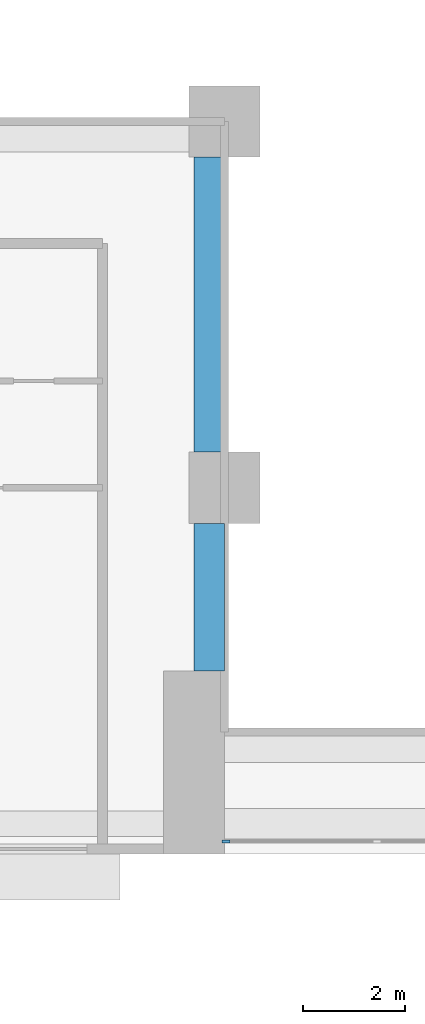
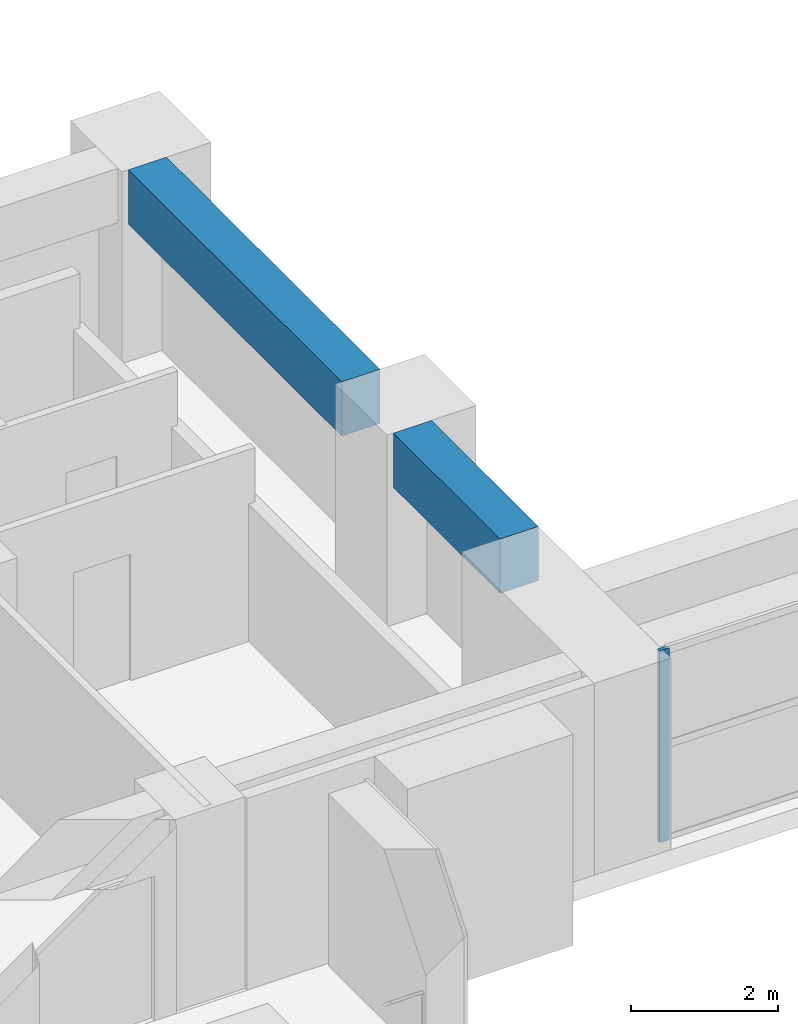
# One storey, part 2 of 17: 2 beams, 1 member, 1 element without a shape of its own.
"""IFC4 building model written with IfcOpenShell, lengths in metres."""

import ifcopenshell
import ifcopenshell.guid

model = None  # the IFC model being written
_history = None  # IfcOwnerHistory: only IFC2X3 demands one
_inside = {}  # id of a spatial element -> (the spatial element, [elements in it])
_under = {}  # id of a project, library or spatial element -> (it, [spatial elements below it])
_declared = {}  # id of a project -> (the project, [libraries it declares])
_typed = {}  # id of a type object -> (the type object, [elements of that type])
_made_of = {}  # id of a material, layer set ... -> (it, [elements and type objects made of it])


def new_model(schema):
    """Start an empty IFC model of exactly this schema.

    Asked for "IFC4X3", IfcOpenShell would pick the latest addendum, in which some entities
    have other attributes; the version numbers below select the first issue.
    IFC2X3 requires an IfcOwnerHistory on every rooted entity: one is made here for all.
    """
    global model, _history
    if schema == "IFC4X3":
        model = ifcopenshell.file(schema_version=(4, 3, 0, 0))
    else:
        model = ifcopenshell.file(schema=schema)
    _inside.clear()
    _under.clear()
    _declared.clear()
    _typed.clear()
    _made_of.clear()
    _history = None
    if model.schema == "IFC2X3":
        org = make("IfcOrganization", Name="unknown")
        user = make(
            "IfcPersonAndOrganization",
            ThePerson=make("IfcPerson", FamilyName="unknown"),
            TheOrganization=org,
        )
        app = make(
            "IfcApplication",
            ApplicationDeveloper=org,
            Version="unknown",
            ApplicationFullName="unknown",
            ApplicationIdentifier="unknown",
        )
        _history = make(
            "IfcOwnerHistory",
            OwningUser=user,
            OwningApplication=app,
            ChangeAction="ADDED",
            CreationDate=0,
        )
    return model


def make(cls, **values):
    """One entity of the class cls with the attributes given. An attribute that is None is left unset."""
    return model.create_entity(
        cls, **{name: value for name, value in values.items() if value is not None}
    )


def rooted(cls, **values):
    """An entity with a GlobalId (a new one), such as an element, a storey or a relation."""
    return make(cls, GlobalId=ifcopenshell.guid.new(), OwnerHistory=_history, **values)


def si_unit(unit_type, name, prefix=None):
    """IfcSIUnit, for example si_unit("LENGTHUNIT", "METRE", prefix="MILLI")."""
    return make("IfcSIUnit", UnitType=unit_type, Prefix=prefix, Name=name)


def assignment(units):
    """IfcUnitAssignment: the units of a project."""
    return None if units is None else make("IfcUnitAssignment", Units=units)


def point(xyz):
    """IfcCartesianPoint."""
    return None if xyz is None else make("IfcCartesianPoint", Coordinates=xyz)


def direction(xyz):
    """IfcDirection."""
    return None if xyz is None else make("IfcDirection", DirectionRatios=xyz)


def frame(location, z_axis=None, x_axis=None):
    """IfcAxis2Placement3D, a coordinate frame: its origin and axes. An axis left out is left unset."""
    return make(
        "IfcAxis2Placement3D",
        Location=point(location),
        Axis=direction(z_axis),
        RefDirection=direction(x_axis),
    )


def frame_2d(location, x_axis=None):
    """IfcAxis2Placement2D, a coordinate frame in the plane: its origin and x axis."""
    return make(
        "IfcAxis2Placement2D", Location=point(location), RefDirection=direction(x_axis)
    )


def origin():
    """The frame at (0, 0, 0) with its axes left unset."""
    return frame((0.0, 0.0, 0.0))


def origin_2d():
    """The frame at (0, 0) in the plane with its x axis left unset."""
    return frame_2d((0.0, 0.0))


def place(relative_to, where):
    """IfcLocalPlacement: puts the frame where relative to a parent placement (None: the world)."""
    return make(
        "IfcLocalPlacement", PlacementRelTo=relative_to, RelativePlacement=where
    )


def context(
    kind, dimensions, precision=None, world=None, true_north=None, identifier=None
):
    """IfcGeometricRepresentationContext, for example the 3D "Model" context."""
    return make(
        "IfcGeometricRepresentationContext",
        ContextIdentifier=identifier,
        ContextType=kind,
        CoordinateSpaceDimension=dimensions,
        Precision=precision,
        WorldCoordinateSystem=world,
        TrueNorth=true_north,
    )


def subcontext(parent, identifier, kind, view, scale=None):
    """IfcGeometricRepresentationSubContext, for example "Body" below "Model"."""
    return make(
        "IfcGeometricRepresentationSubContext",
        ContextIdentifier=identifier,
        ContextType=kind,
        ParentContext=parent,
        TargetScale=scale,
        TargetView=view,
    )


def project(units=None, contexts=None):
    """IfcProject with its units and contexts."""
    return rooted(
        "IfcProject",
        Name="project",
        RepresentationContexts=contexts,
        UnitsInContext=assignment(units),
    )


def spatial(cls, under=None, at=None, **own):
    """A site, building, storey or space (cls), placed at a placement, below another one or the project."""
    s = rooted(cls, ObjectPlacement=at, **own)
    if under is not None:
        _under.setdefault(under.id(), (under, []))[1].append(s)
    return s


def profile(cls, at=None, kind="AREA", **sizes):
    """A parametric profile (cls). Its sizes go by their IFC names, for example OverallWidth=200.0."""
    return make(cls, ProfileType=kind, Position=at, **sizes)


def rectangle(**sizes):
    """IfcRectangleProfileDef."""
    return profile("IfcRectangleProfileDef", **sizes)


def extrude(swept, where, along, depth):
    """IfcExtrudedAreaSolid: the profile swept, set in the frame where, extruded along a direction by depth."""
    return make(
        "IfcExtrudedAreaSolid",
        SweptArea=swept,
        Position=where,
        ExtrudedDirection=direction(along),
        Depth=depth,
    )


def shape(context_of_items, identifier, shape_type, items):
    """IfcShapeRepresentation: the items that make up one representation, for example the "Body"."""
    return make(
        "IfcShapeRepresentation",
        ContextOfItems=context_of_items,
        RepresentationIdentifier=identifier,
        RepresentationType=shape_type,
        Items=items,
    )


def source(mapping_origin, context_of_items, identifier, shape_type, items):
    """IfcRepresentationMap: a shape defined once, which mapped items show again and again."""
    return make(
        "IfcRepresentationMap",
        MappingOrigin=mapping_origin,
        MappedRepresentation=shape(context_of_items, identifier, shape_type, items),
    )


def transform(
    local_origin,
    x_axis=None,
    y_axis=None,
    z_axis=None,
    scale=None,
    scale2=None,
    scale3=None,
    uniform=True,
):
    """IfcCartesianTransformationOperator3D, or its non-uniform kind. x_axis, y_axis, z_axis: its Axis1, 2, 3."""
    if uniform:
        return make(
            "IfcCartesianTransformationOperator3D",
            Axis1=direction(x_axis),
            Axis2=direction(y_axis),
            LocalOrigin=point(local_origin),
            Scale=scale,
            Axis3=direction(z_axis),
        )
    return make(
        "IfcCartesianTransformationOperator3DnonUniform",
        Axis1=direction(x_axis),
        Axis2=direction(y_axis),
        LocalOrigin=point(local_origin),
        Scale=scale,
        Axis3=direction(z_axis),
        Scale2=scale2,
        Scale3=scale3,
    )


def mapped(mapping_source, mapping_target):
    """IfcMappedItem: shows the shape of a source again, moved by a transform."""
    return make(
        "IfcMappedItem", MappingSource=mapping_source, MappingTarget=mapping_target
    )


def material(Name=None, Category=None):
    """IfcMaterial."""
    return make("IfcMaterial", Name=Name, Category=Category)


def layer(
    of_material, thickness, ventilated=None, Name=None, Category=None, Priority=None
):
    """IfcMaterialLayer: one layer of a wall or slab, of a material (None: an air gap)."""
    return make(
        "IfcMaterialLayer",
        Material=of_material,
        LayerThickness=thickness,
        IsVentilated=ventilated,
        Name=Name,
        Category=Category,
        Priority=Priority,
    )


def layer_set(layers, Name=None):
    """IfcMaterialLayerSet."""
    return make("IfcMaterialLayerSet", MaterialLayers=layers, LayerSetName=Name)


def material_profile(
    of_material, cross_section, Name=None, Category=None, Priority=None
):
    """IfcMaterialProfile: a cross section and its material."""
    return make(
        "IfcMaterialProfile",
        Name=Name,
        Material=of_material,
        Profile=cross_section,
        Priority=Priority,
        Category=Category,
    )


def profile_set(profiles, Name=None, composite=None):
    """IfcMaterialProfileSet."""
    return make(
        "IfcMaterialProfileSet",
        Name=Name,
        MaterialProfiles=profiles,
        CompositeProfile=composite,
    )


def made_of(thing, what):
    """Note that an element or type object is made of a material, layer set ...; save() writes the relation."""
    if what is not None:
        _made_of.setdefault(what.id(), (what, []))[1].append(thing)
    return thing


def type_object(cls, material=None, **own):
    """A type object (cls), such as IfcWallType, which elements share."""
    return made_of(rooted(cls, **own), material)


def element(
    cls,
    number,
    at=None,
    inside=None,
    cuts=None,
    type_object=None,
    material=None,
    context=None,
    identifier="Body",
    shape_type=None,
    held_by="IfcProductDefinitionShape",
    body=None,
    shapes=None,
    **own,
):
    """One element of the class cls, such as IfcWall. Its Tag is "e" and its number.

    at: its placement. inside: the storey or other place that contains it. cuts: it is an
    opening in that element (IfcRelVoidsElement). A single representation is given by context,
    identifier, shape_type and body (its items); several are given by shapes. held_by: the class
    of the entity that holds the representations. save() writes the other relations.
    """
    e = rooted(cls, Tag="e%d" % number, ObjectPlacement=at, **own)
    if body is not None:
        shapes = [shape(context, identifier, shape_type, body)]
    if shapes is not None:
        e.Representation = make(held_by, Representations=shapes)
    if inside is not None:
        _inside.setdefault(inside.id(), (inside, []))[1].append(e)
    if cuts is not None:
        rooted(
            "IfcRelVoidsElement", RelatingBuildingElement=cuts, RelatedOpeningElement=e
        )
    if type_object is not None:
        _typed.setdefault(type_object.id(), (type_object, []))[1].append(e)
    return made_of(e, material)


def aggregate(whole, parts):
    """IfcRelAggregates: a whole, such as a stair, and the parts it consists of."""
    return rooted("IfcRelAggregates", RelatingObject=whole, RelatedObjects=parts)


def save(model, path):
    """Write the relations noted so far, then the file.

    IfcRelAggregates (storeys below a building ...), IfcRelContainedInSpatialStructure (elements
    in a storey), IfcRelDefinesByType, IfcRelAssociatesMaterial and IfcRelDeclares: one each for
    every whole, place, type object, material and project.
    """
    for whole, parts in _under.values():
        aggregate(whole, parts)
    for where, things in _inside.values():
        rooted(
            "IfcRelContainedInSpatialStructure",
            RelatedElements=things,
            RelatingStructure=where,
        )
    for kind, things in _typed.values():
        rooted("IfcRelDefinesByType", RelatedObjects=things, RelatingType=kind)
    for what, things in _made_of.values():
        rooted("IfcRelAssociatesMaterial", RelatedObjects=things, RelatingMaterial=what)
    for by, libraries in _declared.values():
        rooted("IfcRelDeclares", RelatingContext=by, RelatedDefinitions=libraries)
    model.write(path)


model = new_model("IFC4")

# Units and contexts
model_context = context("Model", 3, precision=1e-05, world=origin(), true_north=direction((0.0, 1.0)))
body_context = subcontext(model_context, "Body", "Model", "MODEL_VIEW")
ifc_project = project(units=[si_unit("LENGTHUNIT", "METRE"), si_unit("AREAUNIT", "SQUARE_METRE"), si_unit("VOLUMEUNIT", "CUBIC_METRE"), si_unit("PLANEANGLEUNIT", "RADIAN"), si_unit("MASSUNIT", "GRAM", prefix="KILO")], contexts=[model_context])

# Site, building, storey
site_placement = place(None, origin())
site = spatial("IfcSite", under=ifc_project, at=site_placement, CompositionType="ELEMENT")
building_placement = place(site_placement, origin())
building = spatial("IfcBuilding", under=site, at=building_placement, Name="Saffron Iwan Residences", CompositionType="ELEMENT")
storey_placement = place(building_placement, frame((0.0, 0.0, 58.5)))
storey = spatial("IfcBuildingStorey", under=building, at=storey_placement, Name="L14", CompositionType="ELEMENT", Elevation=58.5)

# Beams
ifc_material_1 = material(Name="Concrete C60/75", Category="concrete")
ifc_material_profile_1 = material_profile(ifc_material_1, rectangle(XDim=0.60009765625, YDim=0.89990234375, at=origin_2d()), Name="RC 600x900")
ifc_profile_set_1 = profile_set([ifc_material_profile_1], Name="Concrete C60/75")
beam_type = type_object("IfcBeamType", Name="BEAM RC 600x900 C60/75 TOP 3180", PredefinedType="BEAM", material=ifc_profile_set_1)
shared_shape_1 = source(origin(), body_context, "Body", "SweptSolid", [
    extrude(rectangle(XDim=0.60009765625, YDim=0.89990234375, at=origin_2d()), origin(), (0.0, 0.0, 1.0), 2.900146484375),
])
beam_1_placement = place(storey_placement, frame((42.89990234375, 37.199951171875, 2.72998046875), z_axis=(0.0, 1.0, 0.0), x_axis=(-1.0, 0.0, 0.0)))
element("IfcBeam", 1, at=beam_1_placement, inside=storey, type_object=beam_type, Name="Atrium edge beam", PredefinedType="BEAM", context=body_context, shape_type="MappedRepresentation", body=[
    mapped(shared_shape_1, transform((0.0, 0.0, 0.0))),
])
shared_shape_2 = source(origin(), body_context, "Body", "SweptSolid", [
    extrude(rectangle(XDim=0.60009765625, YDim=0.89990234375, at=origin_2d()), origin(), (0.0, 0.0, 1.0), 5.800048828125),
])
beam_2_placement = place(storey_placement, frame((42.89990234375, 41.5, 2.72998046875), z_axis=(0.0, 1.0, 0.0), x_axis=(-1.0, 0.0, 0.0)))
element("IfcBeam", 2, at=beam_2_placement, inside=storey, type_object=beam_type, Name="Atrium edge beam", PredefinedType="BEAM", context=body_context, shape_type="MappedRepresentation", body=[
    mapped(shared_shape_2, transform((0.0, 0.0, 0.0))),
])

# Curtain wall, member
ifc_material_2 = material(Name="Clear glass, laminated double glazed", Category="glass")
ifc_layer = layer(ifc_material_2, 0.199951171875)
ifc_layer_set = layer_set([ifc_layer], Name="Clear glass, laminated double glazed")
curtain_wall_type = type_object("IfcCurtainWallType", Name="CW-B IWAN PORTAL", PredefinedType="NOTDEFINED", material=ifc_layer_set)
curtain_wall_placement = place(storey_placement, origin())
curtain_wall = element("IfcCurtainWall", 3, at=curtain_wall_placement, inside=storey, type_object=curtain_wall_type, Name="Iwan portal glazing L14.1", PredefinedType="NOTDEFINED")
ifc_material_3 = material(Name="Aluminium 6063-T6", Category="aluminium")
ifc_material_profile_2 = material_profile(ifc_material_3, rectangle(XDim=0.06005859375, YDim=0.159912109375, at=origin_2d()), Name="CW-B MULLION 60 x 160")
ifc_profile_set_2 = profile_set([ifc_material_profile_2], Name="Aluminium 6063-T6")
member_type = type_object("IfcMemberType", Name="CW-B MULLION 60 x 160", PredefinedType="MULLION", material=ifc_profile_set_2)
shared_shape_3 = source(origin(), body_context, "Body", "SweptSolid", [
    extrude(rectangle(XDim=0.06005859375, YDim=0.159912109375, at=origin_2d()), origin(), (0.0, 0.0, 1.0), 3.179931640625),
])
member_placement = place(storey_placement, frame((43.22998046875, 33.85009765625, 0.0), z_axis=(0.0, 0.0, 1.0), x_axis=(0.0, 1.0, 0.0)))
member = element("IfcMember", 4, at=member_placement, type_object=member_type, Name="CW-B mullion 1", PredefinedType="MULLION", context=body_context, shape_type="MappedRepresentation", body=[
    mapped(shared_shape_3, transform((0.0, 0.0, 0.0))),
])
aggregate(curtain_wall, [member])

save(model, "model.ifc")
